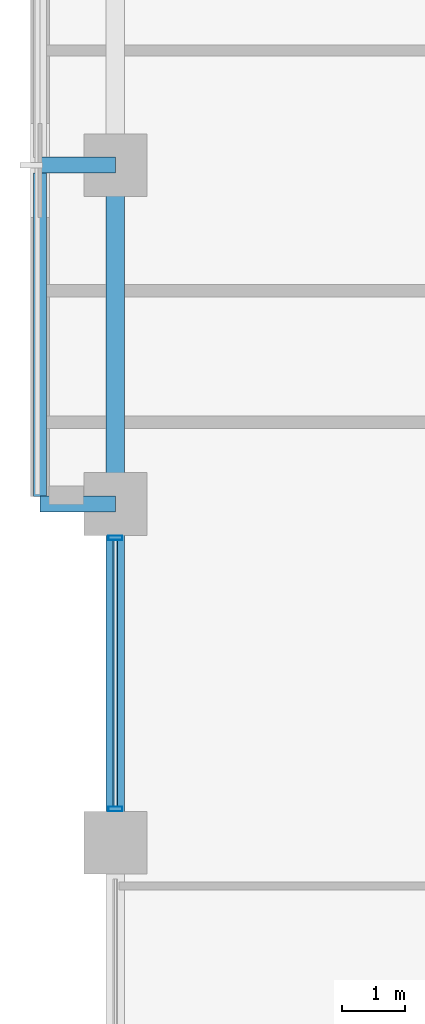
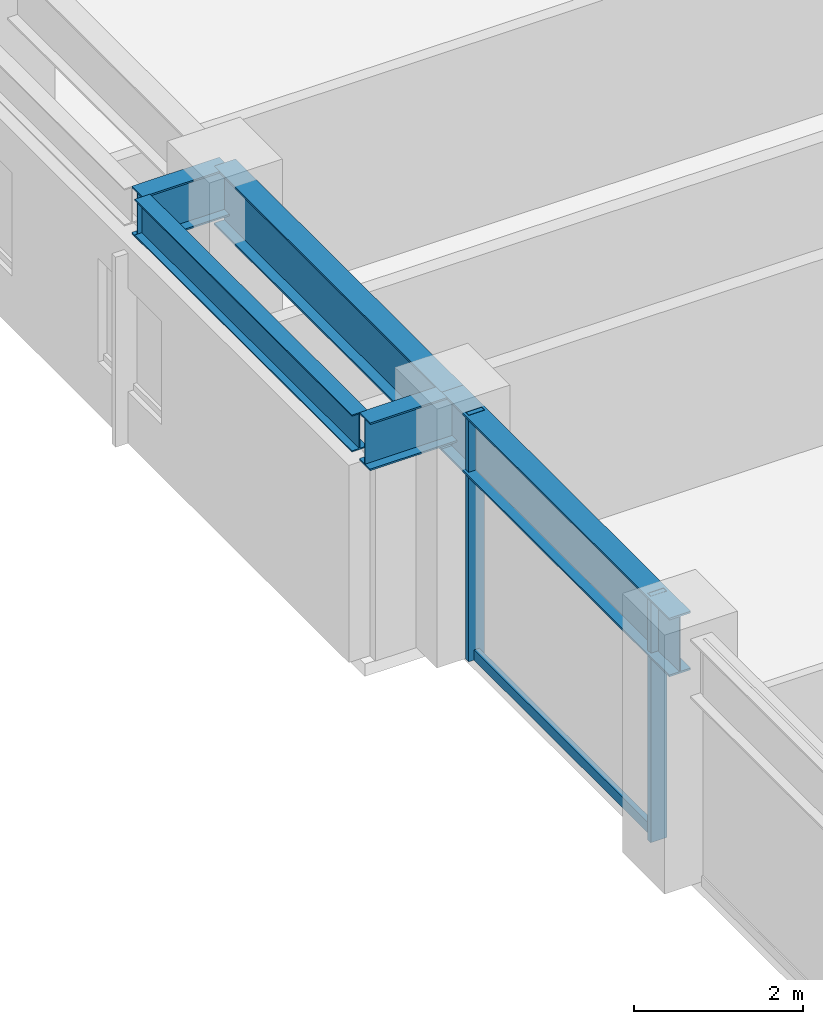
# One storey, part 6 of 25: 5 beams, 3 members, 1 element without a shape of its own.
"""IFC4 building model written with IfcOpenShell, lengths in metres."""

import ifcopenshell
import ifcopenshell.guid

model = None  # the IFC model being written
_history = None  # IfcOwnerHistory: only IFC2X3 demands one
_inside = {}  # id of a spatial element -> (the spatial element, [elements in it])
_under = {}  # id of a project, library or spatial element -> (it, [spatial elements below it])
_declared = {}  # id of a project -> (the project, [libraries it declares])
_typed = {}  # id of a type object -> (the type object, [elements of that type])
_made_of = {}  # id of a material, layer set ... -> (it, [elements and type objects made of it])


def new_model(schema):
    """Start an empty IFC model of exactly this schema.

    Asked for "IFC4X3", IfcOpenShell would pick the latest addendum, in which some entities
    have other attributes; the version numbers below select the first issue.
    IFC2X3 requires an IfcOwnerHistory on every rooted entity: one is made here for all.
    """
    global model, _history
    if schema == "IFC4X3":
        model = ifcopenshell.file(schema_version=(4, 3, 0, 0))
    else:
        model = ifcopenshell.file(schema=schema)
    _inside.clear()
    _under.clear()
    _declared.clear()
    _typed.clear()
    _made_of.clear()
    _history = None
    if model.schema == "IFC2X3":
        org = make("IfcOrganization", Name="unknown")
        user = make(
            "IfcPersonAndOrganization",
            ThePerson=make("IfcPerson", FamilyName="unknown"),
            TheOrganization=org,
        )
        app = make(
            "IfcApplication",
            ApplicationDeveloper=org,
            Version="unknown",
            ApplicationFullName="unknown",
            ApplicationIdentifier="unknown",
        )
        _history = make(
            "IfcOwnerHistory",
            OwningUser=user,
            OwningApplication=app,
            ChangeAction="ADDED",
            CreationDate=0,
        )
    return model


def make(cls, **values):
    """One entity of the class cls with the attributes given. An attribute that is None is left unset."""
    return model.create_entity(
        cls, **{name: value for name, value in values.items() if value is not None}
    )


def rooted(cls, **values):
    """An entity with a GlobalId (a new one), such as an element, a storey or a relation."""
    return make(cls, GlobalId=ifcopenshell.guid.new(), OwnerHistory=_history, **values)


def si_unit(unit_type, name, prefix=None):
    """IfcSIUnit, for example si_unit("LENGTHUNIT", "METRE", prefix="MILLI")."""
    return make("IfcSIUnit", UnitType=unit_type, Prefix=prefix, Name=name)


def assignment(units):
    """IfcUnitAssignment: the units of a project."""
    return None if units is None else make("IfcUnitAssignment", Units=units)


def point(xyz):
    """IfcCartesianPoint."""
    return None if xyz is None else make("IfcCartesianPoint", Coordinates=xyz)


def direction(xyz):
    """IfcDirection."""
    return None if xyz is None else make("IfcDirection", DirectionRatios=xyz)


def frame(location, z_axis=None, x_axis=None):
    """IfcAxis2Placement3D, a coordinate frame: its origin and axes. An axis left out is left unset."""
    return make(
        "IfcAxis2Placement3D",
        Location=point(location),
        Axis=direction(z_axis),
        RefDirection=direction(x_axis),
    )


def frame_2d(location, x_axis=None):
    """IfcAxis2Placement2D, a coordinate frame in the plane: its origin and x axis."""
    return make(
        "IfcAxis2Placement2D", Location=point(location), RefDirection=direction(x_axis)
    )


def origin():
    """The frame at (0, 0, 0) with its axes left unset."""
    return frame((0.0, 0.0, 0.0))


def origin_2d():
    """The frame at (0, 0) in the plane with its x axis left unset."""
    return frame_2d((0.0, 0.0))


def place(relative_to, where):
    """IfcLocalPlacement: puts the frame where relative to a parent placement (None: the world)."""
    return make(
        "IfcLocalPlacement", PlacementRelTo=relative_to, RelativePlacement=where
    )


def context(
    kind, dimensions, precision=None, world=None, true_north=None, identifier=None
):
    """IfcGeometricRepresentationContext, for example the 3D "Model" context."""
    return make(
        "IfcGeometricRepresentationContext",
        ContextIdentifier=identifier,
        ContextType=kind,
        CoordinateSpaceDimension=dimensions,
        Precision=precision,
        WorldCoordinateSystem=world,
        TrueNorth=true_north,
    )


def subcontext(parent, identifier, kind, view, scale=None):
    """IfcGeometricRepresentationSubContext, for example "Body" below "Model"."""
    return make(
        "IfcGeometricRepresentationSubContext",
        ContextIdentifier=identifier,
        ContextType=kind,
        ParentContext=parent,
        TargetScale=scale,
        TargetView=view,
    )


def project(units=None, contexts=None):
    """IfcProject with its units and contexts."""
    return rooted(
        "IfcProject",
        Name="project",
        RepresentationContexts=contexts,
        UnitsInContext=assignment(units),
    )


def spatial(cls, under=None, at=None, **own):
    """A site, building, storey or space (cls), placed at a placement, below another one or the project."""
    s = rooted(cls, ObjectPlacement=at, **own)
    if under is not None:
        _under.setdefault(under.id(), (under, []))[1].append(s)
    return s


def profile(cls, at=None, kind="AREA", **sizes):
    """A parametric profile (cls). Its sizes go by their IFC names, for example OverallWidth=200.0."""
    return make(cls, ProfileType=kind, Position=at, **sizes)


def hollow_rectangle(**sizes):
    """IfcRectangleHollowProfileDef."""
    return profile("IfcRectangleHollowProfileDef", **sizes)


def i_section(**sizes):
    """IfcIShapeProfileDef."""
    return profile("IfcIShapeProfileDef", **sizes)


def extrude(swept, where, along, depth):
    """IfcExtrudedAreaSolid: the profile swept, set in the frame where, extruded along a direction by depth."""
    return make(
        "IfcExtrudedAreaSolid",
        SweptArea=swept,
        Position=where,
        ExtrudedDirection=direction(along),
        Depth=depth,
    )


def shape(context_of_items, identifier, shape_type, items):
    """IfcShapeRepresentation: the items that make up one representation, for example the "Body"."""
    return make(
        "IfcShapeRepresentation",
        ContextOfItems=context_of_items,
        RepresentationIdentifier=identifier,
        RepresentationType=shape_type,
        Items=items,
    )


def material(Name=None, Category=None):
    """IfcMaterial."""
    return make("IfcMaterial", Name=Name, Category=Category)


def layer(
    of_material, thickness, ventilated=None, Name=None, Category=None, Priority=None
):
    """IfcMaterialLayer: one layer of a wall or slab, of a material (None: an air gap)."""
    return make(
        "IfcMaterialLayer",
        Material=of_material,
        LayerThickness=thickness,
        IsVentilated=ventilated,
        Name=Name,
        Category=Category,
        Priority=Priority,
    )


def layer_set(layers, Name=None):
    """IfcMaterialLayerSet."""
    return make("IfcMaterialLayerSet", MaterialLayers=layers, LayerSetName=Name)


def material_profile(
    of_material, cross_section, Name=None, Category=None, Priority=None
):
    """IfcMaterialProfile: a cross section and its material."""
    return make(
        "IfcMaterialProfile",
        Name=Name,
        Material=of_material,
        Profile=cross_section,
        Priority=Priority,
        Category=Category,
    )


def profile_set(profiles, Name=None, composite=None):
    """IfcMaterialProfileSet."""
    return make(
        "IfcMaterialProfileSet",
        Name=Name,
        MaterialProfiles=profiles,
        CompositeProfile=composite,
    )


def made_of(thing, what):
    """Note that an element or type object is made of a material, layer set ...; save() writes the relation."""
    if what is not None:
        _made_of.setdefault(what.id(), (what, []))[1].append(thing)
    return thing


def type_object(cls, material=None, **own):
    """A type object (cls), such as IfcWallType, which elements share."""
    return made_of(rooted(cls, **own), material)


def element(
    cls,
    number,
    at=None,
    inside=None,
    cuts=None,
    type_object=None,
    material=None,
    context=None,
    identifier="Body",
    shape_type=None,
    held_by="IfcProductDefinitionShape",
    body=None,
    shapes=None,
    **own,
):
    """One element of the class cls, such as IfcWall. Its Tag is "e" and its number.

    at: its placement. inside: the storey or other place that contains it. cuts: it is an
    opening in that element (IfcRelVoidsElement). A single representation is given by context,
    identifier, shape_type and body (its items); several are given by shapes. held_by: the class
    of the entity that holds the representations. save() writes the other relations.
    """
    e = rooted(cls, Tag="e%d" % number, ObjectPlacement=at, **own)
    if body is not None:
        shapes = [shape(context, identifier, shape_type, body)]
    if shapes is not None:
        e.Representation = make(held_by, Representations=shapes)
    if inside is not None:
        _inside.setdefault(inside.id(), (inside, []))[1].append(e)
    if cuts is not None:
        rooted(
            "IfcRelVoidsElement", RelatingBuildingElement=cuts, RelatedOpeningElement=e
        )
    if type_object is not None:
        _typed.setdefault(type_object.id(), (type_object, []))[1].append(e)
    return made_of(e, material)


def aggregate(whole, parts):
    """IfcRelAggregates: a whole, such as a stair, and the parts it consists of."""
    return rooted("IfcRelAggregates", RelatingObject=whole, RelatedObjects=parts)


def save(model, path):
    """Write the relations noted so far, then the file.

    IfcRelAggregates (storeys below a building ...), IfcRelContainedInSpatialStructure (elements
    in a storey), IfcRelDefinesByType, IfcRelAssociatesMaterial and IfcRelDeclares: one each for
    every whole, place, type object, material and project.
    """
    for whole, parts in _under.values():
        aggregate(whole, parts)
    for where, things in _inside.values():
        rooted(
            "IfcRelContainedInSpatialStructure",
            RelatedElements=things,
            RelatingStructure=where,
        )
    for kind, things in _typed.values():
        rooted("IfcRelDefinesByType", RelatedObjects=things, RelatingType=kind)
    for what, things in _made_of.values():
        rooted("IfcRelAssociatesMaterial", RelatedObjects=things, RelatingMaterial=what)
    for by, libraries in _declared.values():
        rooted("IfcRelDeclares", RelatingContext=by, RelatedDefinitions=libraries)
    model.write(path)


model = new_model("IFC4")

# Units and contexts
model_context = context("Model", 3, precision=1e-05, world=origin(), true_north=direction((0.0, 1.0)))
body_context = subcontext(model_context, "Body", "Model", "MODEL_VIEW")
ifc_project = project(units=[si_unit("LENGTHUNIT", "METRE"), si_unit("AREAUNIT", "SQUARE_METRE"), si_unit("VOLUMEUNIT", "CUBIC_METRE"), si_unit("PLANEANGLEUNIT", "RADIAN"), si_unit("MASSUNIT", "GRAM", prefix="KILO")], contexts=[model_context])

# Site, building, storey
site_placement = place(None, origin())
site = spatial("IfcSite", under=ifc_project, at=site_placement, CompositionType="ELEMENT")
building_placement = place(site_placement, origin())
building = spatial("IfcBuilding", under=site, at=building_placement, Name="Surkhivell Harbour Commons", CompositionType="ELEMENT")
storey_placement = place(building_placement, frame((0.0, 0.0, 139.5)))
storey = spatial("IfcBuildingStorey", under=building, at=storey_placement, Name="L36", CompositionType="ELEMENT", Elevation=139.5)

# Beams
ifc_material_1 = material(Name="Steel S460", Category="steel")
ifc_material_profile_1 = material_profile(ifc_material_1, i_section(OverallWidth=0.256103515625, OverallDepth=0.693115234375, WebThickness=0.014404296875, FlangeThickness=0.023681640625, at=origin_2d()), Name="UB686x254x170")
ifc_profile_set_1 = profile_set([ifc_material_profile_1], Name="Steel S460")
beam_type_1 = type_object("IfcBeamType", Name="BM-CNT-686", PredefinedType="BEAM", material=ifc_profile_set_1)
for number, where, z_axis, x_axis, name in (
    (1, (-32.39990234375, 0.0, 3.223388671875), (-1.0, 0.0, 0.0), (0.0, -1.0, 0.0), "L36 Box Cantilever Outrigger (-32.4,0.0)"),
    (2, (-32.39990234375, 5.39990234375, 3.223388671875), (-1.0, 0.0, 0.0), (0.0, -1.0, 0.0), "L36 Box Cantilever Outrigger (-32.4,5.4)"),
):
    element("IfcBeam", number, at=place(storey_placement, frame(where, z_axis=z_axis, x_axis=x_axis)), inside=storey, type_object=beam_type_1, Name=name, PredefinedType="BEAM", context=body_context, shape_type="SweptSolid", body=[
        extrude(i_section(OverallWidth=0.256103515625, OverallDepth=0.693115234375, WebThickness=0.014404296875, FlangeThickness=0.023681640625, at=origin_2d()), origin(), (0.0, 0.0, 1.0), 1.2001953125),
    ])
ifc_material_2 = material(Name="Steel S355", Category="steel")
ifc_material_profile_2 = material_profile(ifc_material_2, i_section(OverallWidth=0.2099609375, OverallDepth=0.537109375, WebThickness=0.0107421875, FlangeThickness=0.017333984375, at=origin_2d()), Name="UB533x210x101")
ifc_profile_set_2 = profile_set([ifc_material_profile_2], Name="Steel S355")
beam_type_2 = type_object("IfcBeamType", Name="BM-GRD-533B", PredefinedType="BEAM", material=ifc_profile_set_2)
beam_placement = place(storey_placement, frame((-33.60009765625, 0.1220703125, 3.301513671875), z_axis=(0.0, 1.0, 0.0), x_axis=(-1.0, 0.0, 0.0)))
element("IfcBeam", 3, at=beam_placement, inside=storey, type_object=beam_type_2, Name="L36 Box Rim Spandrel (-33.6,0.0)", PredefinedType="BEAM", context=body_context, shape_type="SweptSolid", body=[
    extrude(i_section(OverallWidth=0.2099609375, OverallDepth=0.537109375, WebThickness=0.0107421875, FlangeThickness=0.017333984375, at=origin_2d()), origin(), (0.0, 0.0, 1.0), 5.156005859375),
])
ifc_material_profile_3 = material_profile(ifc_material_1, i_section(OverallWidth=0.2939453125, OverallDepth=0.85107421875, WebThickness=0.01611328125, FlangeThickness=0.02685546875, at=origin_2d()), Name="UB838x292x226")
ifc_profile_set_3 = profile_set([ifc_material_profile_3], Name="Steel S460")
beam_type_3 = type_object("IfcBeamType", Name="BM-SPN-838", PredefinedType="SPANDREL", material=ifc_profile_set_3)
for number, where, z_axis, x_axis, name in (
    (4, (-32.39990234375, -5.39990234375, 3.14453125), (0.0, 1.0, 0.0), (-1.0, 0.0, 0.0), "L36 Tube Spandrel (-32.4,-5.4)"),
    (5, (-32.39990234375, 0.0, 3.14453125), (0.0, 1.0, 0.0), (-1.0, 0.0, 0.0), "L36 Tube Spandrel (-32.4,0.0)"),
):
    element("IfcBeam", number, at=place(storey_placement, frame(where, z_axis=z_axis, x_axis=x_axis)), inside=storey, type_object=beam_type_3, Name=name, PredefinedType="SPANDREL", context=body_context, shape_type="SweptSolid", body=[
        extrude(i_section(OverallWidth=0.2939453125, OverallDepth=0.85107421875, WebThickness=0.01611328125, FlangeThickness=0.02685546875, at=origin_2d()), origin(), (0.0, 0.0, 1.0), 5.39990234375),
    ])

# Curtain wall, members
ifc_material_3 = material(Name="Anodised pale-metal aluminium and insulated glazing", Category="aluminium")
ifc_layer = layer(ifc_material_3, 0.205078125)
ifc_layer_set = layer_set([ifc_layer], Name="Anodised pale-metal aluminium and insulated glazing")
curtain_wall_type = type_object("IfcCurtainWallType", Name="CW-SYS-Z2", PredefinedType="NOTDEFINED", material=ifc_layer_set)
curtain_wall_placement = place(storey_placement, origin())
curtain_wall = element("IfcCurtainWall", 6, at=curtain_wall_placement, inside=storey, type_object=curtain_wall_type, Name="L36 Curtain Wall CW-L36-E12R1S2", PredefinedType="NOTDEFINED")
ifc_material_4 = material(Name="Anodised pale-metal aluminium alloy 6063-T6", Category="aluminium")
ifc_material_profile_4 = material_profile(ifc_material_4, hollow_rectangle(XDim=0.074951171875, YDim=0.219970703125, WallThickness=0.00390625, at=origin_2d()), Name="ALU-MULL-75x220")
ifc_profile_set_4 = profile_set([ifc_material_profile_4], Name="Anodised pale-metal aluminium alloy 6063-T6")
member_type_1 = type_object("IfcMemberType", Name="CWM-220", PredefinedType="MULLION", material=ifc_profile_set_4)
member_1_placement = place(storey_placement, frame((-32.39990234375, -4.860595703125, 0.0), z_axis=(0.0, 0.0, 1.0), x_axis=(0.0, 1.0, 0.0)))
member_1 = element("IfcMember", 7, at=member_1_placement, type_object=member_type_1, Name="CW-Z2 mullion 2", PredefinedType="MULLION", context=body_context, shape_type="SweptSolid", body=[
    extrude(hollow_rectangle(XDim=0.074951171875, YDim=0.219970703125, WallThickness=0.00390625, at=origin_2d()), origin(), (0.0, 0.0, 1.0), 3.570068359375),
])
member_2_placement = place(storey_placement, frame((-32.39990234375, -0.53955078125, 0.0), z_axis=(0.0, 0.0, 1.0), x_axis=(0.0, 1.0, 0.0)))
member_2 = element("IfcMember", 8, at=member_2_placement, type_object=member_type_1, Name="CW-Z2 mullion 3", PredefinedType="MULLION", context=body_context, shape_type="SweptSolid", body=[
    extrude(hollow_rectangle(XDim=0.074951171875, YDim=0.219970703125, WallThickness=0.00390625, at=origin_2d()), origin(), (0.0, 0.0, 1.0), 3.570068359375),
])
ifc_material_profile_5 = material_profile(ifc_material_4, hollow_rectangle(XDim=0.074951171875, YDim=0.14990234375, WallThickness=0.00341796875, at=origin_2d()), Name="ALU-TRAN-75x150")
ifc_profile_set_5 = profile_set([ifc_material_profile_5], Name="Anodised pale-metal aluminium alloy 6063-T6")
member_type_2 = type_object("IfcMemberType", Name="CWT-150", PredefinedType="USERDEFINED", material=ifc_profile_set_5)
member_3_placement = place(storey_placement, frame((-32.39990234375, -4.822998046875, 0.074951171875), z_axis=(0.0, 1.0, 0.0), x_axis=(-1.0, 0.0, 0.0)))
member_3 = element("IfcMember", 9, at=member_3_placement, type_object=member_type_2, Name="CW-Z2 transom 2.1", ObjectType="TRANSOM", PredefinedType="USERDEFINED", context=body_context, shape_type="SweptSolid", body=[
    extrude(hollow_rectangle(XDim=0.074951171875, YDim=0.14990234375, WallThickness=0.00341796875, at=origin_2d()), origin(), (0.0, 0.0, 1.0), 4.24609375),
])
aggregate(curtain_wall, [member_1, member_2, member_3])

save(model, "model.ifc")
